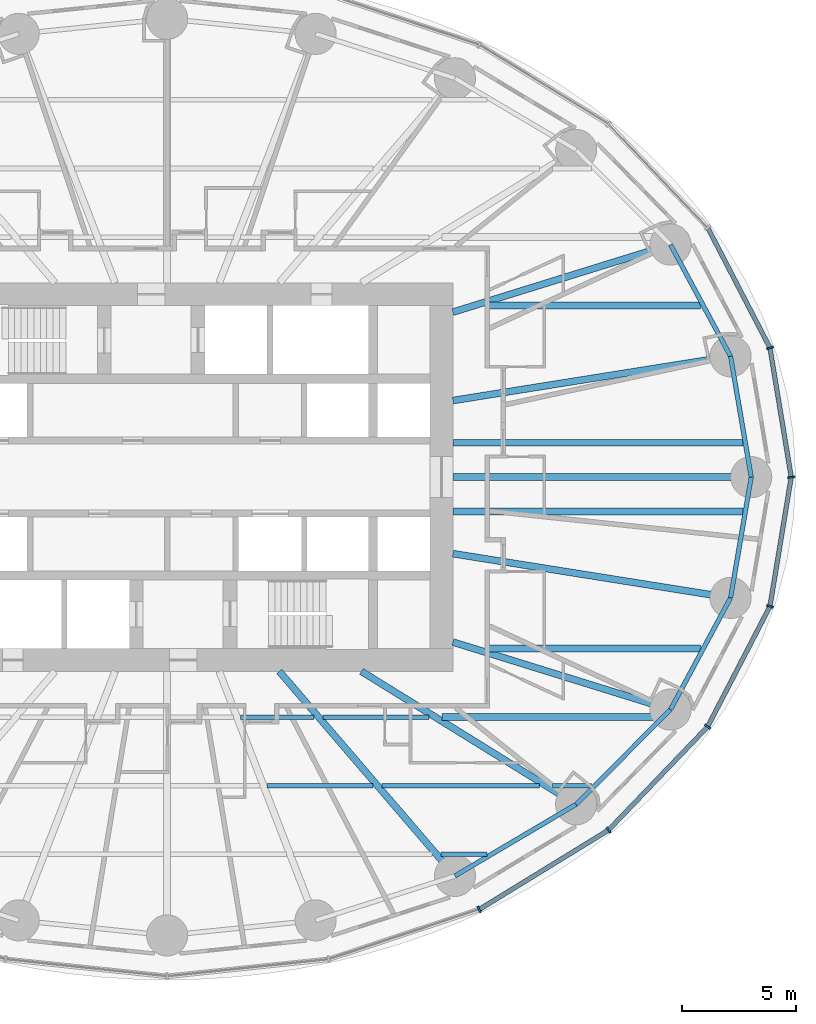
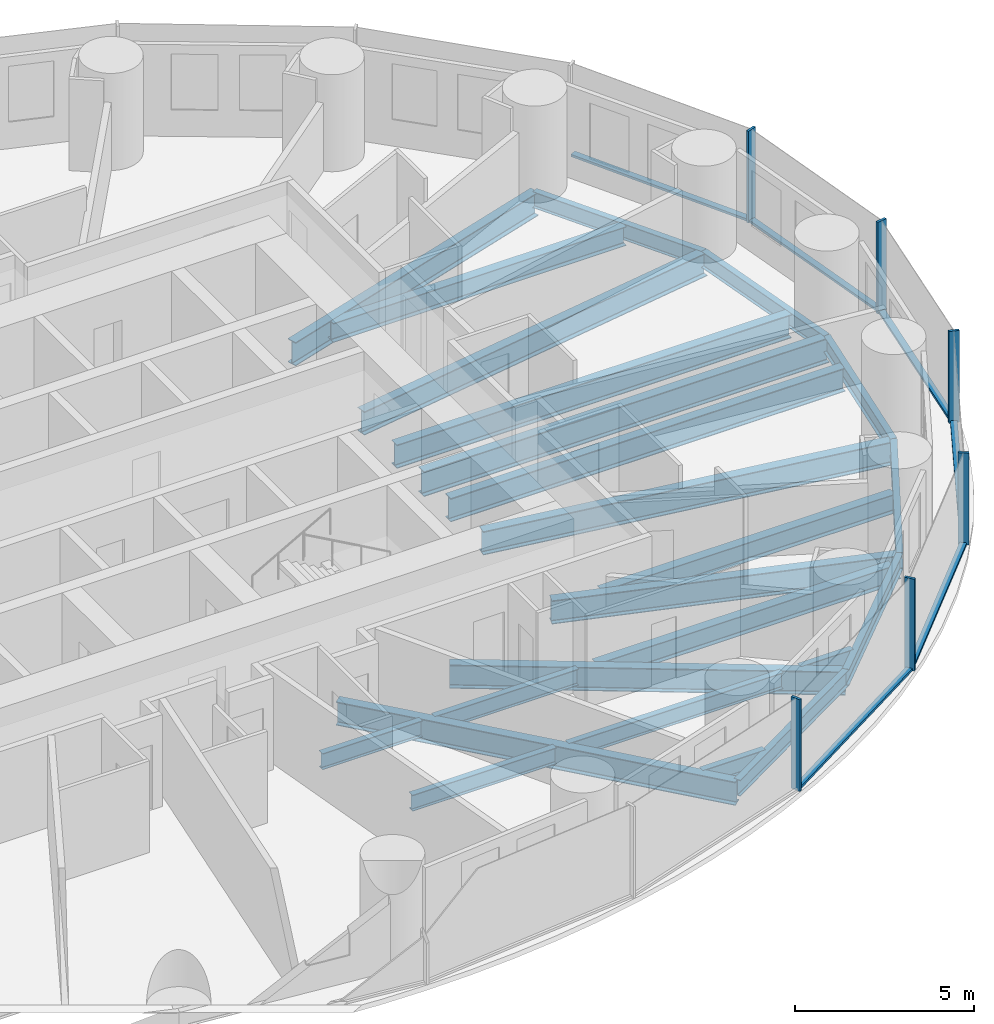
# One storey, part 3 of 14: 24 beams, 12 members, 2 elements without a shape of their own.
"""IFC4 building model written with IfcOpenShell, lengths in metres."""

import ifcopenshell
import ifcopenshell.guid

model = None  # the IFC model being written
_history = None  # IfcOwnerHistory: only IFC2X3 demands one
_inside = {}  # id of a spatial element -> (the spatial element, [elements in it])
_under = {}  # id of a project, library or spatial element -> (it, [spatial elements below it])
_declared = {}  # id of a project -> (the project, [libraries it declares])
_typed = {}  # id of a type object -> (the type object, [elements of that type])
_made_of = {}  # id of a material, layer set ... -> (it, [elements and type objects made of it])


def new_model(schema):
    """Start an empty IFC model of exactly this schema.

    Asked for "IFC4X3", IfcOpenShell would pick the latest addendum, in which some entities
    have other attributes; the version numbers below select the first issue.
    IFC2X3 requires an IfcOwnerHistory on every rooted entity: one is made here for all.
    """
    global model, _history
    if schema == "IFC4X3":
        model = ifcopenshell.file(schema_version=(4, 3, 0, 0))
    else:
        model = ifcopenshell.file(schema=schema)
    _inside.clear()
    _under.clear()
    _declared.clear()
    _typed.clear()
    _made_of.clear()
    _history = None
    if model.schema == "IFC2X3":
        org = make("IfcOrganization", Name="unknown")
        user = make(
            "IfcPersonAndOrganization",
            ThePerson=make("IfcPerson", FamilyName="unknown"),
            TheOrganization=org,
        )
        app = make(
            "IfcApplication",
            ApplicationDeveloper=org,
            Version="unknown",
            ApplicationFullName="unknown",
            ApplicationIdentifier="unknown",
        )
        _history = make(
            "IfcOwnerHistory",
            OwningUser=user,
            OwningApplication=app,
            ChangeAction="ADDED",
            CreationDate=0,
        )
    return model


def make(cls, **values):
    """One entity of the class cls with the attributes given. An attribute that is None is left unset."""
    return model.create_entity(
        cls, **{name: value for name, value in values.items() if value is not None}
    )


def rooted(cls, **values):
    """An entity with a GlobalId (a new one), such as an element, a storey or a relation."""
    return make(cls, GlobalId=ifcopenshell.guid.new(), OwnerHistory=_history, **values)


def si_unit(unit_type, name, prefix=None):
    """IfcSIUnit, for example si_unit("LENGTHUNIT", "METRE", prefix="MILLI")."""
    return make("IfcSIUnit", UnitType=unit_type, Prefix=prefix, Name=name)


def assignment(units):
    """IfcUnitAssignment: the units of a project."""
    return None if units is None else make("IfcUnitAssignment", Units=units)


def point(xyz):
    """IfcCartesianPoint."""
    return None if xyz is None else make("IfcCartesianPoint", Coordinates=xyz)


def direction(xyz):
    """IfcDirection."""
    return None if xyz is None else make("IfcDirection", DirectionRatios=xyz)


def frame(location, z_axis=None, x_axis=None):
    """IfcAxis2Placement3D, a coordinate frame: its origin and axes. An axis left out is left unset."""
    return make(
        "IfcAxis2Placement3D",
        Location=point(location),
        Axis=direction(z_axis),
        RefDirection=direction(x_axis),
    )


def frame_2d(location, x_axis=None):
    """IfcAxis2Placement2D, a coordinate frame in the plane: its origin and x axis."""
    return make(
        "IfcAxis2Placement2D", Location=point(location), RefDirection=direction(x_axis)
    )


def origin():
    """The frame at (0, 0, 0) with its axes left unset."""
    return frame((0.0, 0.0, 0.0))


def origin_2d():
    """The frame at (0, 0) in the plane with its x axis left unset."""
    return frame_2d((0.0, 0.0))


def place(relative_to, where):
    """IfcLocalPlacement: puts the frame where relative to a parent placement (None: the world)."""
    return make(
        "IfcLocalPlacement", PlacementRelTo=relative_to, RelativePlacement=where
    )


def context(
    kind, dimensions, precision=None, world=None, true_north=None, identifier=None
):
    """IfcGeometricRepresentationContext, for example the 3D "Model" context."""
    return make(
        "IfcGeometricRepresentationContext",
        ContextIdentifier=identifier,
        ContextType=kind,
        CoordinateSpaceDimension=dimensions,
        Precision=precision,
        WorldCoordinateSystem=world,
        TrueNorth=true_north,
    )


def subcontext(parent, identifier, kind, view, scale=None):
    """IfcGeometricRepresentationSubContext, for example "Body" below "Model"."""
    return make(
        "IfcGeometricRepresentationSubContext",
        ContextIdentifier=identifier,
        ContextType=kind,
        ParentContext=parent,
        TargetScale=scale,
        TargetView=view,
    )


def project(units=None, contexts=None):
    """IfcProject with its units and contexts."""
    return rooted(
        "IfcProject",
        Name="project",
        RepresentationContexts=contexts,
        UnitsInContext=assignment(units),
    )


def spatial(cls, under=None, at=None, **own):
    """A site, building, storey or space (cls), placed at a placement, below another one or the project."""
    s = rooted(cls, ObjectPlacement=at, **own)
    if under is not None:
        _under.setdefault(under.id(), (under, []))[1].append(s)
    return s


def profile(cls, at=None, kind="AREA", **sizes):
    """A parametric profile (cls). Its sizes go by their IFC names, for example OverallWidth=200.0."""
    return make(cls, ProfileType=kind, Position=at, **sizes)


def rectangle(**sizes):
    """IfcRectangleProfileDef."""
    return profile("IfcRectangleProfileDef", **sizes)


def i_section(**sizes):
    """IfcIShapeProfileDef."""
    return profile("IfcIShapeProfileDef", **sizes)


def extrude(swept, where, along, depth):
    """IfcExtrudedAreaSolid: the profile swept, set in the frame where, extruded along a direction by depth."""
    return make(
        "IfcExtrudedAreaSolid",
        SweptArea=swept,
        Position=where,
        ExtrudedDirection=direction(along),
        Depth=depth,
    )


def shape(context_of_items, identifier, shape_type, items):
    """IfcShapeRepresentation: the items that make up one representation, for example the "Body"."""
    return make(
        "IfcShapeRepresentation",
        ContextOfItems=context_of_items,
        RepresentationIdentifier=identifier,
        RepresentationType=shape_type,
        Items=items,
    )


def material(Name=None, Category=None):
    """IfcMaterial."""
    return make("IfcMaterial", Name=Name, Category=Category)


def material_profile(
    of_material, cross_section, Name=None, Category=None, Priority=None
):
    """IfcMaterialProfile: a cross section and its material."""
    return make(
        "IfcMaterialProfile",
        Name=Name,
        Material=of_material,
        Profile=cross_section,
        Priority=Priority,
        Category=Category,
    )


def profile_set(profiles, Name=None, composite=None):
    """IfcMaterialProfileSet."""
    return make(
        "IfcMaterialProfileSet",
        Name=Name,
        MaterialProfiles=profiles,
        CompositeProfile=composite,
    )


def made_of(thing, what):
    """Note that an element or type object is made of a material, layer set ...; save() writes the relation."""
    if what is not None:
        _made_of.setdefault(what.id(), (what, []))[1].append(thing)
    return thing


def type_object(cls, material=None, **own):
    """A type object (cls), such as IfcWallType, which elements share."""
    return made_of(rooted(cls, **own), material)


def element(
    cls,
    number,
    at=None,
    inside=None,
    cuts=None,
    type_object=None,
    material=None,
    context=None,
    identifier="Body",
    shape_type=None,
    held_by="IfcProductDefinitionShape",
    body=None,
    shapes=None,
    **own,
):
    """One element of the class cls, such as IfcWall. Its Tag is "e" and its number.

    at: its placement. inside: the storey or other place that contains it. cuts: it is an
    opening in that element (IfcRelVoidsElement). A single representation is given by context,
    identifier, shape_type and body (its items); several are given by shapes. held_by: the class
    of the entity that holds the representations. save() writes the other relations.
    """
    e = rooted(cls, Tag="e%d" % number, ObjectPlacement=at, **own)
    if body is not None:
        shapes = [shape(context, identifier, shape_type, body)]
    if shapes is not None:
        e.Representation = make(held_by, Representations=shapes)
    if inside is not None:
        _inside.setdefault(inside.id(), (inside, []))[1].append(e)
    if cuts is not None:
        rooted(
            "IfcRelVoidsElement", RelatingBuildingElement=cuts, RelatedOpeningElement=e
        )
    if type_object is not None:
        _typed.setdefault(type_object.id(), (type_object, []))[1].append(e)
    return made_of(e, material)


def aggregate(whole, parts):
    """IfcRelAggregates: a whole, such as a stair, and the parts it consists of."""
    return rooted("IfcRelAggregates", RelatingObject=whole, RelatedObjects=parts)


def save(model, path):
    """Write the relations noted so far, then the file.

    IfcRelAggregates (storeys below a building ...), IfcRelContainedInSpatialStructure (elements
    in a storey), IfcRelDefinesByType, IfcRelAssociatesMaterial and IfcRelDeclares: one each for
    every whole, place, type object, material and project.
    """
    for whole, parts in _under.values():
        aggregate(whole, parts)
    for where, things in _inside.values():
        rooted(
            "IfcRelContainedInSpatialStructure",
            RelatedElements=things,
            RelatingStructure=where,
        )
    for kind, things in _typed.values():
        rooted("IfcRelDefinesByType", RelatedObjects=things, RelatingType=kind)
    for what, things in _made_of.values():
        rooted("IfcRelAssociatesMaterial", RelatedObjects=things, RelatingMaterial=what)
    for by, libraries in _declared.values():
        rooted("IfcRelDeclares", RelatingContext=by, RelatedDefinitions=libraries)
    model.write(path)


model = new_model("IFC4")

# Units and contexts
model_context = context("Model", 3, precision=1e-05, world=origin(), true_north=direction((0.0, 1.0)))
body_context = subcontext(model_context, "Body", "Model", "MODEL_VIEW")
ifc_project = project(units=[si_unit("LENGTHUNIT", "METRE"), si_unit("AREAUNIT", "SQUARE_METRE"), si_unit("VOLUMEUNIT", "CUBIC_METRE"), si_unit("PLANEANGLEUNIT", "RADIAN"), si_unit("MASSUNIT", "GRAM", prefix="KILO")], contexts=[model_context])

# Site, building, storey
site_placement = place(None, origin())
site = spatial("IfcSite", under=ifc_project, at=site_placement, CompositionType="ELEMENT")
building_placement = place(site_placement, origin())
building = spatial("IfcBuilding", under=site, at=building_placement, Name="Hankou Lantern Tower", CompositionType="ELEMENT")
storey_placement = place(building_placement, frame((0.0, 0.0, 29.39990234375)))
storey = spatial("IfcBuildingStorey", under=building, at=storey_placement, Name="L05", CompositionType="ELEMENT", Elevation=29.39990234375)

# Beams
ifc_material_1 = material(Name="Steel Q355B", Category="steel")
ifc_material_profile_1 = material_profile(ifc_material_1, i_section(OverallWidth=0.199951171875, OverallDepth=0.550048828125, WebThickness=0.010009765625, FlangeThickness=0.01611328125, FilletRadius=0.012939453125, at=origin_2d()), Name="HN550x200x10x16")
ifc_profile_set_1 = profile_set([ifc_material_profile_1], Name="Steel Q355B")
beam_type_1 = type_object("IfcBeamType", Name="EB6 RING BEAM HN550x200x10x16", PredefinedType="SPANDREL", material=ifc_profile_set_1)
beam_1_placement = place(storey_placement, frame((25.550048828125, 0.0, -0.454833984375), z_axis=(-0.168489691988, 0.985703415685, 0.0), x_axis=(-0.985703415685, -0.168489691988, 0.0)))
element("IfcBeam", 1, at=beam_1_placement, inside=storey, type_object=beam_type_1, Name="Ring beam R01-R02 L05", PredefinedType="SPANDREL", context=body_context, shape_type="SweptSolid", body=[
    extrude(i_section(OverallWidth=0.199951171875, OverallDepth=0.550048828125, WebThickness=0.010009765625, FlangeThickness=0.01611328125, FilletRadius=0.012939453125, at=origin_2d()), origin(), (0.0, 0.0, 1.0), 5.35986328125),
])
beam_2_placement = place(storey_placement, frame((24.64697265625, 5.283203125, -0.454833984375), z_axis=(-0.473609096023, 0.880735161194, 0.0), x_axis=(-0.880735161194, -0.473609096023, 0.0)))
element("IfcBeam", 2, at=beam_2_placement, inside=storey, type_object=beam_type_1, Name="Ring beam R02-R03 L05", PredefinedType="SPANDREL", context=body_context, shape_type="SweptSolid", body=[
    extrude(i_section(OverallWidth=0.199951171875, OverallDepth=0.550048828125, WebThickness=0.010009765625, FlangeThickness=0.01611328125, FilletRadius=0.012939453125, at=origin_2d()), origin(), (0.0, 0.0, 1.0), 5.548828125),
])
beam_3_placement = place(storey_placement, frame((12.5908203125, -17.446533203125, -0.454833984375), z_axis=(0.860881533543, 0.508805449268, 0.0), x_axis=(-0.508805449268, 0.860881533543, 0.0)))
element("IfcBeam", 3, at=beam_3_placement, inside=storey, type_object=beam_type_1, Name="Ring beam R21-R22 L05", PredefinedType="SPANDREL", context=body_context, shape_type="SweptSolid", body=[
    extrude(i_section(OverallWidth=0.199951171875, OverallDepth=0.550048828125, WebThickness=0.010009765625, FlangeThickness=0.01611328125, FilletRadius=0.012939453125, at=origin_2d()), origin(), (0.0, 0.0, 1.0), 6.15771484375),
])
beam_4_placement = place(storey_placement, frame((17.891845703125, -14.3134765625, -0.454833984375), z_axis=(0.705727798394, 0.708483079949, 0.0), x_axis=(-0.708483079949, 0.705727798394, 0.0)))
element("IfcBeam", 4, at=beam_4_placement, inside=storey, type_object=beam_type_1, Name="Ring beam R22-R23 L05", PredefinedType="SPANDREL", context=body_context, shape_type="SweptSolid", body=[
    extrude(i_section(OverallWidth=0.199951171875, OverallDepth=0.550048828125, WebThickness=0.010009765625, FlangeThickness=0.01611328125, FilletRadius=0.012939453125, at=origin_2d()), origin(), (0.0, 0.0, 1.0), 5.84814453125),
])
beam_5_placement = place(storey_placement, frame((22.01904296875, -10.170166015625, -0.454833984375), z_axis=(0.473609096023, 0.880735161194, 0.0), x_axis=(-0.880735161194, 0.473609096023, 0.0)))
element("IfcBeam", 5, at=beam_5_placement, inside=storey, type_object=beam_type_1, Name="Ring beam R23-R24 L05", PredefinedType="SPANDREL", context=body_context, shape_type="SweptSolid", body=[
    extrude(i_section(OverallWidth=0.199951171875, OverallDepth=0.550048828125, WebThickness=0.010009765625, FlangeThickness=0.01611328125, FilletRadius=0.012939453125, at=origin_2d()), origin(), (0.0, 0.0, 1.0), 5.548828125),
])
beam_6_placement = place(storey_placement, frame((24.64697265625, -5.283203125, -0.454833984375), z_axis=(0.168489691988, 0.985703415685, 0.0), x_axis=(-0.985703415685, 0.168489691988, 0.0)))
element("IfcBeam", 6, at=beam_6_placement, inside=storey, type_object=beam_type_1, Name="Ring beam R24-R01 L05", PredefinedType="SPANDREL", context=body_context, shape_type="SweptSolid", body=[
    extrude(i_section(OverallWidth=0.199951171875, OverallDepth=0.550048828125, WebThickness=0.010009765625, FlangeThickness=0.01611328125, FilletRadius=0.012939453125, at=origin_2d()), origin(), (0.0, 0.0, 1.0), 5.35986328125),
])

# Curtain wall, members
ifc_material_2 = material(Name="Glass, dark grey tinted laminated", Category="glass")
curtain_wall_type = type_object("IfcCurtainWallType", Name="CWA OUTER SKIN LOW-RISE", PredefinedType="USERDEFINED", material=ifc_material_2)
curtain_wall_1_placement = place(storey_placement, origin())
curtain_wall_1 = element("IfcCurtainWall", 7, at=curtain_wall_1_placement, inside=storey, type_object=curtain_wall_type, Name="CWA L05 OS1", ObjectType="OUTER SKIN LOW-RISE", PredefinedType="USERDEFINED")
ifc_material_3 = material(Name="Aluminium, black anodised", Category="aluminium")
ifc_material_profile_2 = material_profile(ifc_material_3, rectangle(XDim=0.080078125, YDim=0.300048828125, at=origin_2d()), Name="MU1 80X300")
ifc_profile_set_2 = profile_set([ifc_material_profile_2], Name="Aluminium, black anodised")
member_type_1 = type_object("IfcMemberType", Name="MU1 OUTER SKIN MULLION 80X300", PredefinedType="MULLION", material=ifc_profile_set_2)
member_1_placement = place(storey_placement, frame((27.300048828125, 0.0, 0.0), z_axis=(0.0, 0.0, 1.0), x_axis=(-0.162381515188, 0.986728049427, 0.0)))
member_1 = element("IfcMember", 8, at=member_1_placement, type_object=member_type_1, Name="CWA mullion 1", PredefinedType="MULLION", context=body_context, shape_type="SweptSolid", body=[
    extrude(rectangle(XDim=0.080078125, YDim=0.300048828125, at=origin_2d()), origin(), (0.0, 0.0, 1.0), 3.1201171875),
])
member_2_placement = place(storey_placement, frame((26.369873046875, 5.652587890625, 0.0), z_axis=(0.0, 0.0, 1.0), x_axis=(-0.317595577365, 0.94822626479, 0.0)))
member_2 = element("IfcMember", 9, at=member_2_placement, type_object=member_type_1, Name="CWA mullion 2", PredefinedType="MULLION", context=body_context, shape_type="SweptSolid", body=[
    extrude(rectangle(XDim=0.080078125, YDim=0.300048828125, at=origin_2d()), origin(), (0.0, 0.0, 1.0), 3.1201171875),
])

curtain_wall_2_placement = place(storey_placement, origin())
curtain_wall_2 = element("IfcCurtainWall", 10, at=curtain_wall_2_placement, inside=storey, type_object=curtain_wall_type, Name="CWA L05 OS4", ObjectType="OUTER SKIN LOW-RISE", PredefinedType="USERDEFINED")
member_3_placement = place(storey_placement, frame((13.64990234375, -18.9140625, 0.0), z_axis=(0.0, 0.0, 1.0), x_axis=(0.907841299004, 0.419313934686, 0.0)))
member_3 = element("IfcMember", 11, at=member_3_placement, type_object=member_type_1, Name="CWA mullion 3", PredefinedType="MULLION", context=body_context, shape_type="SweptSolid", body=[
    extrude(rectangle(XDim=0.080078125, YDim=0.300048828125, at=origin_2d()), origin(), (0.0, 0.0, 1.0), 3.1201171875),
])
member_4_placement = place(storey_placement, frame((19.303955078125, -15.443115234375, 0.0), z_axis=(0.0, 0.0, 1.0), x_axis=(0.780868809444, 0.624695047553, 0.0)))
member_4 = element("IfcMember", 12, at=member_4_placement, type_object=member_type_1, Name="CWA mullion 4", PredefinedType="MULLION", context=body_context, shape_type="SweptSolid", body=[
    extrude(rectangle(XDim=0.080078125, YDim=0.300048828125, at=origin_2d()), origin(), (0.0, 0.0, 1.0), 3.1201171875),
])
member_5_placement = place(storey_placement, frame((23.642578125, -10.919921875, 0.0), z_axis=(0.0, 0.0, 1.0), x_axis=(0.585205735974, 0.810884854084, 0.0)))
member_5 = element("IfcMember", 13, at=member_5_placement, type_object=member_type_1, Name="CWA mullion 5", PredefinedType="MULLION", context=body_context, shape_type="SweptSolid", body=[
    extrude(rectangle(XDim=0.080078125, YDim=0.300048828125, at=origin_2d()), origin(), (0.0, 0.0, 1.0), 3.1201171875),
])
member_6_placement = place(storey_placement, frame((26.369873046875, -5.652587890625, 0.0), z_axis=(0.0, 0.0, 1.0), x_axis=(0.317595577365, 0.94822626479, 0.0)))
member_6 = element("IfcMember", 14, at=member_6_placement, type_object=member_type_1, Name="CWA mullion 6", PredefinedType="MULLION", context=body_context, shape_type="SweptSolid", body=[
    extrude(rectangle(XDim=0.080078125, YDim=0.300048828125, at=origin_2d()), origin(), (0.0, 0.0, 1.0), 3.1201171875),
])

# Beams
ifc_material_4 = material(Name="Steel Q355B", Category="steel")
ifc_material_profile_3 = material_profile(ifc_material_4, i_section(OverallWidth=0.300048828125, OverallDepth=0.800048828125, WebThickness=0.013916015625, FlangeThickness=0.02587890625, FilletRadius=0.01806640625, at=origin_2d()), Name="HN800x300x14x26")
ifc_profile_set_3 = profile_set([ifc_material_profile_3], Name="Steel Q355B")
beam_type_2 = type_object("IfcBeamType", Name="RB11 RADIAL BEAM HN800x300x14x26", PredefinedType="BEAM", material=ifc_profile_set_3)
beam_7_placement = place(storey_placement, frame((12.5, 3.349365234375, -0.579833984375), z_axis=(0.987563081343, 0.157223281893, 0.0), x_axis=(-0.157223281893, 0.987563081343, 0.0)))
element("IfcBeam", 15, at=beam_7_placement, inside=storey, type_object=beam_type_2, Name="Radial beam R02 L05", PredefinedType="BEAM", context=body_context, shape_type="SweptSolid", body=[
    extrude(i_section(OverallWidth=0.300048828125, OverallDepth=0.800048828125, WebThickness=0.013916015625, FlangeThickness=0.02587890625, FilletRadius=0.01806640625, at=origin_2d()), origin(), (0.0, 0.0, 1.0), 12.300048828125),
])
beam_8_placement = place(storey_placement, frame((12.5, 7.216796875, -0.579833984375), z_axis=(0.955087327755, 0.29632447817, 0.0), x_axis=(-0.29632447817, 0.955087327755, 0.0)))
element("IfcBeam", 16, at=beam_8_placement, inside=storey, type_object=beam_type_2, Name="Radial beam R03 L05", PredefinedType="BEAM", context=body_context, shape_type="SweptSolid", body=[
    extrude(i_section(OverallWidth=0.300048828125, OverallDepth=0.800048828125, WebThickness=0.013916015625, FlangeThickness=0.02587890625, FilletRadius=0.01806640625, at=origin_2d()), origin(), (0.0, 0.0, 1.0), 9.966552734375),
])
beam_9_placement = place(storey_placement, frame((4.907470703125, -8.5, -0.579833984375), z_axis=(0.651519061225, -0.758632264579, 0.0), x_axis=(0.758632264579, 0.651519061225, 0.0)))
element("IfcBeam", 17, at=beam_9_placement, inside=storey, type_object=beam_type_2, Name="Radial beam R21 L05", PredefinedType="BEAM", context=body_context, shape_type="SweptSolid", body=[
    extrude(i_section(OverallWidth=0.300048828125, OverallDepth=0.800048828125, WebThickness=0.013916015625, FlangeThickness=0.02587890625, FilletRadius=0.01806640625, at=origin_2d()), origin(), (0.0, 0.0, 1.0), 11.79296875),
])
beam_10_placement = place(storey_placement, frame((8.5, -8.5, -0.579833984375), z_axis=(0.850286343288, -0.526320372414, 0.0), x_axis=(0.526320372414, 0.850286343288, 0.0)))
element("IfcBeam", 18, at=beam_10_placement, inside=storey, type_object=beam_type_2, Name="Radial beam R22 L05", PredefinedType="BEAM", context=body_context, shape_type="SweptSolid", body=[
    extrude(i_section(OverallWidth=0.300048828125, OverallDepth=0.800048828125, WebThickness=0.013916015625, FlangeThickness=0.02587890625, FilletRadius=0.01806640625, at=origin_2d()), origin(), (0.0, 0.0, 1.0), 11.04541015625),
])
beam_11_placement = place(storey_placement, frame((12.5, -7.216796875, -0.579833984375), z_axis=(0.955087327755, -0.29632447817, 0.0), x_axis=(0.29632447817, 0.955087327755, 0.0)))
element("IfcBeam", 19, at=beam_11_placement, inside=storey, type_object=beam_type_2, Name="Radial beam R23 L05", PredefinedType="BEAM", context=body_context, shape_type="SweptSolid", body=[
    extrude(i_section(OverallWidth=0.300048828125, OverallDepth=0.800048828125, WebThickness=0.013916015625, FlangeThickness=0.02587890625, FilletRadius=0.01806640625, at=origin_2d()), origin(), (0.0, 0.0, 1.0), 9.966552734375),
])
beam_12_placement = place(storey_placement, frame((12.5, -3.349365234375, -0.579833984375), z_axis=(0.987563081343, -0.157223281893, 0.0), x_axis=(0.157223281893, 0.987563081343, 0.0)))
element("IfcBeam", 20, at=beam_12_placement, inside=storey, type_object=beam_type_2, Name="Radial beam R24 L05", PredefinedType="BEAM", context=body_context, shape_type="SweptSolid", body=[
    extrude(i_section(OverallWidth=0.300048828125, OverallDepth=0.800048828125, WebThickness=0.013916015625, FlangeThickness=0.02587890625, FilletRadius=0.01806640625, at=origin_2d()), origin(), (0.0, 0.0, 1.0), 12.300048828125),
])
ifc_material_5 = material(Name="Steel Q355B", Category="steel")
ifc_material_profile_4 = material_profile(ifc_material_5, i_section(OverallWidth=0.300048828125, OverallDepth=0.85009765625, WebThickness=0.01611328125, FlangeThickness=0.027099609375, FilletRadius=0.01806640625, at=origin_2d()), Name="HN850x300x16x27")
ifc_profile_set_4 = profile_set([ifc_material_profile_4], Name="Steel Q355B")
beam_type_3 = type_object("IfcBeamType", Name="RB12 RADIAL BEAM HN850x300x16x27", PredefinedType="BEAM", material=ifc_profile_set_4)
beam_13_placement = place(storey_placement, frame((12.5, 0.0, -0.60498046875), z_axis=(1.0, 0.0, 0.0), x_axis=(0.0, 1.0, 0.0)))
element("IfcBeam", 21, at=beam_13_placement, inside=storey, type_object=beam_type_3, Name="Radial beam R01 L05", PredefinedType="BEAM", context=body_context, shape_type="SweptSolid", body=[
    extrude(i_section(OverallWidth=0.300048828125, OverallDepth=0.85009765625, WebThickness=0.01611328125, FlangeThickness=0.027099609375, FilletRadius=0.01806640625, at=origin_2d()), origin(), (0.0, 0.0, 1.0), 13.050048828125),
])
ifc_material_6 = material(Name="Steel Q355B", Category="steel")
ifc_material_profile_5 = material_profile(ifc_material_6, i_section(OverallWidth=0.300048828125, OverallDepth=0.800048828125, WebThickness=0.013916015625, FlangeThickness=0.02587890625, FilletRadius=0.01806640625, at=origin_2d()), Name="HN800x300x14x26")
ifc_profile_set_5 = profile_set([ifc_material_profile_5], Name="Steel Q355B")
beam_type_4 = type_object("IfcBeamType", Name="SB11 SECONDARY BEAM HN800x300x14x26", PredefinedType="JOIST", material=ifc_profile_set_5)
for number, where, z_axis, x_axis, name in (
    (22, (12.5, -1.5, -0.579833984375), (1.0, 0.0, 0.0), (0.0, 1.0, 0.0), "Floor joist J030 L05"),
    (23, (12.5, 1.5, -0.579833984375), (1.0, 0.0, 0.0), (0.0, 1.0, 0.0), "Floor joist J032 L05"),
):
    element("IfcBeam", number, at=place(storey_placement, frame(where, z_axis=z_axis, x_axis=x_axis)), inside=storey, type_object=beam_type_4, Name=name, PredefinedType="JOIST", context=body_context, shape_type="SweptSolid", body=[
        extrude(i_section(OverallWidth=0.300048828125, OverallDepth=0.800048828125, WebThickness=0.013916015625, FlangeThickness=0.02587890625, FilletRadius=0.01806640625, at=origin_2d()), origin(), (0.0, 0.0, 1.0), 12.692138671875),
    ])
ifc_material_7 = material(Name="Steel Q355B", Category="steel")
ifc_material_profile_6 = material_profile(ifc_material_7, i_section(OverallWidth=0.199951171875, OverallDepth=0.550048828125, WebThickness=0.010009765625, FlangeThickness=0.01611328125, FilletRadius=0.012939453125, at=origin_2d()), Name="HN550x200x10x16")
ifc_profile_set_6 = profile_set([ifc_material_profile_6], Name="Steel Q355B")
beam_type_5 = type_object("IfcBeamType", Name="SB6 SECONDARY BEAM HN550x200x10x16", PredefinedType="JOIST", material=ifc_profile_set_6)
beam_14_placement = place(storey_placement, frame((11.975830078125, -16.5, -0.454833984375), z_axis=(1.0, 0.0, 0.0), x_axis=(0.0, 1.0, 0.0)))
element("IfcBeam", 24, at=beam_14_placement, inside=storey, type_object=beam_type_5, Name="Floor joist J006 L05", PredefinedType="JOIST", context=body_context, shape_type="SweptSolid", body=[
    extrude(i_section(OverallWidth=0.199951171875, OverallDepth=0.550048828125, WebThickness=0.010009765625, FlangeThickness=0.01611328125, FilletRadius=0.012939453125, at=origin_2d()), origin(), (0.0, 0.0, 1.0), 2.019775390625),
])
beam_15_placement = place(storey_placement, frame((4.37451171875, -13.5, -0.454833984375), z_axis=(1.0, 0.0, 0.0), x_axis=(0.0, 1.0, 0.0)))
element("IfcBeam", 25, at=beam_15_placement, inside=storey, type_object=beam_type_5, Name="Floor joist J012 L05", PredefinedType="JOIST", context=body_context, shape_type="SweptSolid", body=[
    extrude(i_section(OverallWidth=0.199951171875, OverallDepth=0.550048828125, WebThickness=0.010009765625, FlangeThickness=0.01611328125, FilletRadius=0.012939453125, at=origin_2d()), origin(), (0.0, 0.0, 1.0), 4.62939453125),
])
beam_16_placement = place(storey_placement, frame((9.3994140625, -13.5, -0.454833984375), z_axis=(1.0, 0.0, 0.0), x_axis=(0.0, 1.0, 0.0)))
element("IfcBeam", 26, at=beam_16_placement, inside=storey, type_object=beam_type_5, Name="Floor joist J013 L05", PredefinedType="JOIST", context=body_context, shape_type="SweptSolid", body=[
    extrude(i_section(OverallWidth=0.199951171875, OverallDepth=0.550048828125, WebThickness=0.010009765625, FlangeThickness=0.01611328125, FilletRadius=0.012939453125, at=origin_2d()), origin(), (0.0, 0.0, 1.0), 6.893310546875),
])
beam_17_placement = place(storey_placement, frame((16.86279296875, -13.5, -0.454833984375), z_axis=(1.0, 0.0, 0.0), x_axis=(0.0, 1.0, 0.0)))
element("IfcBeam", 27, at=beam_17_placement, inside=storey, type_object=beam_type_5, Name="Floor joist J014 L05", PredefinedType="JOIST", context=body_context, shape_type="SweptSolid", body=[
    extrude(i_section(OverallWidth=0.199951171875, OverallDepth=0.550048828125, WebThickness=0.010009765625, FlangeThickness=0.01611328125, FilletRadius=0.012939453125, at=origin_2d()), origin(), (0.0, 0.0, 1.0), 1.697998046875),
])
beam_18_placement = place(storey_placement, frame((3.212890625, -10.5, -0.454833984375), z_axis=(1.0, 0.0, 0.0), x_axis=(0.0, 1.0, 0.0)))
element("IfcBeam", 28, at=beam_18_placement, inside=storey, type_object=beam_type_5, Name="Floor joist J020 L05", PredefinedType="JOIST", context=body_context, shape_type="SweptSolid", body=[
    extrude(i_section(OverallWidth=0.199951171875, OverallDepth=0.550048828125, WebThickness=0.010009765625, FlangeThickness=0.01611328125, FilletRadius=0.012939453125, at=origin_2d()), origin(), (0.0, 0.0, 1.0), 3.214599609375),
])
beam_19_placement = place(storey_placement, frame((6.82275390625, -10.5, -0.454833984375), z_axis=(1.0, 0.0, 0.0), x_axis=(0.0, 1.0, 0.0)))
element("IfcBeam", 29, at=beam_19_placement, inside=storey, type_object=beam_type_5, Name="Floor joist J021 L05", PredefinedType="JOIST", context=body_context, shape_type="SweptSolid", body=[
    extrude(i_section(OverallWidth=0.199951171875, OverallDepth=0.550048828125, WebThickness=0.010009765625, FlangeThickness=0.01611328125, FilletRadius=0.012939453125, at=origin_2d()), origin(), (0.0, 0.0, 1.0), 4.623291015625),
])
ifc_material_8 = material(Name="Steel Q355B", Category="steel")
ifc_material_profile_7 = material_profile(ifc_material_8, i_section(OverallWidth=0.300048828125, OverallDepth=0.64990234375, WebThickness=0.010986328125, FlangeThickness=0.01708984375, FilletRadius=0.01806640625, at=origin_2d()), Name="HN650x300x11x17")
ifc_profile_set_7 = profile_set([ifc_material_profile_7], Name="Steel Q355B")
beam_type_6 = type_object("IfcBeamType", Name="SB8 SECONDARY BEAM HN650x300x11x17", PredefinedType="JOIST", material=ifc_profile_set_7)
beam_20_placement = place(storey_placement, frame((12.01611328125, -10.5, -0.5048828125), z_axis=(1.0, 0.0, 0.0), x_axis=(0.0, 1.0, 0.0)))
element("IfcBeam", 30, at=beam_20_placement, inside=storey, type_object=beam_type_6, Name="Floor joist J022 L05", PredefinedType="JOIST", context=body_context, shape_type="SweptSolid", body=[
    extrude(i_section(OverallWidth=0.300048828125, OverallDepth=0.64990234375, WebThickness=0.010986328125, FlangeThickness=0.01708984375, FilletRadius=0.01806640625, at=origin_2d()), origin(), (0.0, 0.0, 1.0), 9.533203125),
])
for number, where, z_axis, x_axis, name in (
    (31, (13.918701171875, -7.5, -0.5048828125), (1.0, 0.0, 0.0), (0.0, 1.0, 0.0), "Floor joist J024 L05"),
    (32, (13.918701171875, 7.5, -0.5048828125), (1.0, 0.0, 0.0), (0.0, 1.0, 0.0), "Floor joist J038 L05"),
):
    element("IfcBeam", number, at=place(storey_placement, frame(where, z_axis=z_axis, x_axis=x_axis)), inside=storey, type_object=beam_type_6, Name=name, PredefinedType="JOIST", context=body_context, shape_type="SweptSolid", body=[
        extrude(i_section(OverallWidth=0.300048828125, OverallDepth=0.64990234375, WebThickness=0.010986328125, FlangeThickness=0.01708984375, FilletRadius=0.01806640625, at=origin_2d()), origin(), (0.0, 0.0, 1.0), 9.4228515625),
    ])

# Member
ifc_material_9 = material(Name="Aluminium, black anodised", Category="aluminium")
ifc_material_profile_8 = material_profile(ifc_material_9, rectangle(XDim=0.199951171875, YDim=0.080078125, at=origin_2d()), Name="TR1 200X80")
ifc_profile_set_8 = profile_set([ifc_material_profile_8], Name="Aluminium, black anodised")
member_type_2 = type_object("IfcMemberType", Name="TR1 OUTER SKIN TRANSOM 200X80", PredefinedType="USERDEFINED", material=ifc_profile_set_8)
member_7_placement = place(storey_placement, frame((27.29345703125, 0.03955078125, 0.0400390625), z_axis=(-0.162387045529, 0.986727139307, 0.0), x_axis=(-0.986727139307, -0.162387045529, 0.0)))
member_7 = element("IfcMember", 33, at=member_7_placement, type_object=member_type_2, Name="CWA transom 1", ObjectType="TRANSOM", PredefinedType="USERDEFINED", context=body_context, shape_type="SweptSolid", body=[
    extrude(rectangle(XDim=0.199951171875, YDim=0.080078125, at=origin_2d()), origin(), (0.0, 0.0, 1.0), 5.6484375),
])

member_8_placement = place(storey_placement, frame((26.351318359375, 5.688232421875, 0.0400390625), z_axis=(-0.459786096495, 0.888029698529, 0.0), x_axis=(-0.888029698529, -0.459786096495, 0.0)))
member_8 = element("IfcMember", 34, at=member_8_placement, type_object=member_type_2, Name="CWA transom 2", ObjectType="TRANSOM", PredefinedType="USERDEFINED", context=body_context, shape_type="SweptSolid", body=[
    extrude(rectangle(XDim=0.199951171875, YDim=0.080078125, at=origin_2d()), origin(), (0.0, 0.0, 1.0), 5.8515625),
])

aggregate(curtain_wall_1, [member_1, member_2, member_7, member_8])

member_9_placement = place(storey_placement, frame((13.68408203125, -18.89306640625, 0.0400390625), z_axis=(0.85223969557, 0.523151508929, 0.0), x_axis=(-0.523151508929, 0.85223969557, 0.0)))
member_9 = element("IfcMember", 35, at=member_9_placement, type_object=member_type_2, Name="CWA transom 3", ObjectType="TRANSOM", PredefinedType="USERDEFINED", context=body_context, shape_type="SweptSolid", body=[
    extrude(rectangle(XDim=0.199951171875, YDim=0.080078125, at=origin_2d()), origin(), (0.0, 0.0, 1.0), 6.554443359375),
])

member_10_placement = place(storey_placement, frame((19.331787109375, -15.414306640625, 0.0400390625), z_axis=(0.692215537374, 0.721690827029, 0.0), x_axis=(-0.721690827029, 0.692215537374, 0.0)))
member_10 = element("IfcMember", 36, at=member_10_placement, type_object=member_type_2, Name="CWA transom 4", ObjectType="TRANSOM", PredefinedType="USERDEFINED", context=body_context, shape_type="SweptSolid", body=[
    extrude(rectangle(XDim=0.199951171875, YDim=0.080078125, at=origin_2d()), origin(), (0.0, 0.0, 1.0), 6.187255859375),
])

member_11_placement = place(storey_placement, frame((23.660888671875, -10.884521484375, 0.0400390625), z_axis=(0.459786096495, 0.888029698529, 0.0), x_axis=(-0.888029698529, 0.459786096495, 0.0)))
member_11 = element("IfcMember", 37, at=member_11_placement, type_object=member_type_2, Name="CWA transom 5", ObjectType="TRANSOM", PredefinedType="USERDEFINED", context=body_context, shape_type="SweptSolid", body=[
    extrude(rectangle(XDim=0.199951171875, YDim=0.080078125, at=origin_2d()), origin(), (0.0, 0.0, 1.0), 5.8515625),
])

member_12_placement = place(storey_placement, frame((26.376220703125, -5.613037109375, 0.0400390625), z_axis=(0.162387045529, 0.986727139307, 0.0), x_axis=(-0.986727139307, 0.162387045529, 0.0)))
member_12 = element("IfcMember", 38, at=member_12_placement, type_object=member_type_2, Name="CWA transom 6", ObjectType="TRANSOM", PredefinedType="USERDEFINED", context=body_context, shape_type="SweptSolid", body=[
    extrude(rectangle(XDim=0.199951171875, YDim=0.080078125, at=origin_2d()), origin(), (0.0, 0.0, 1.0), 5.6484375),
])

aggregate(curtain_wall_2, [member_3, member_4, member_5, member_6, member_9, member_10, member_11, member_12])

save(model, "model.ifc")
